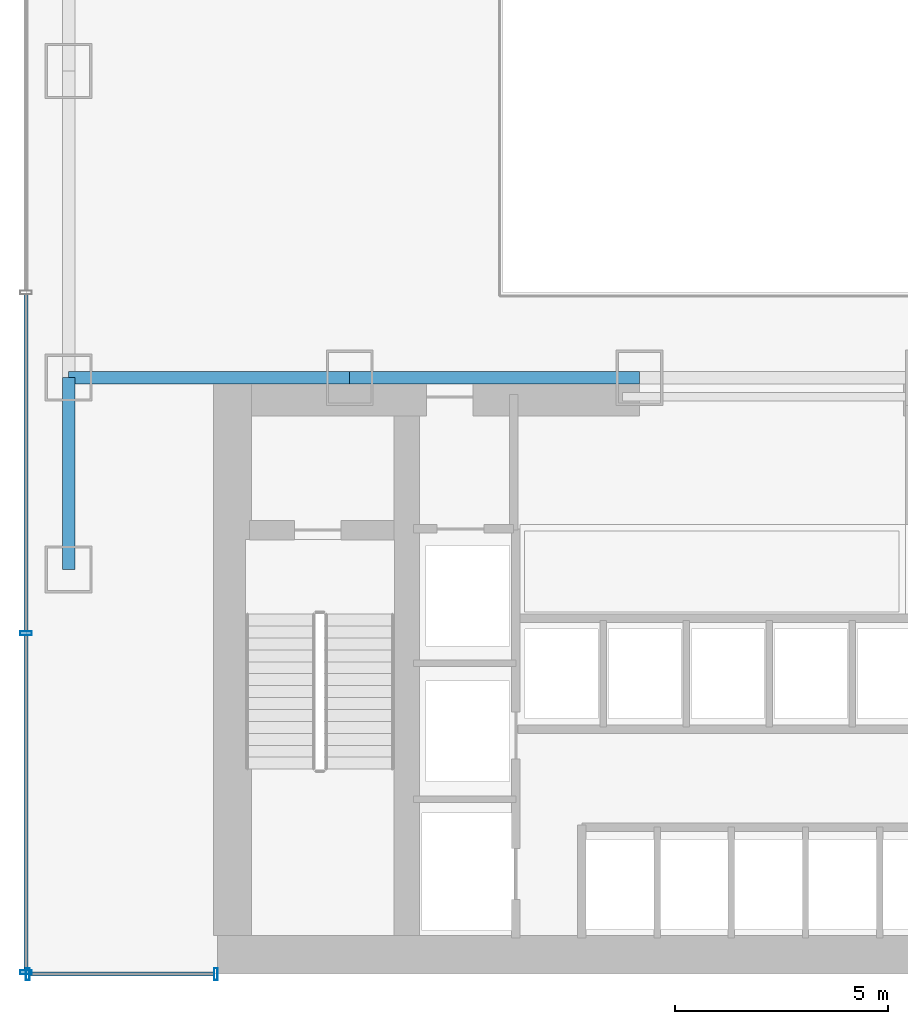
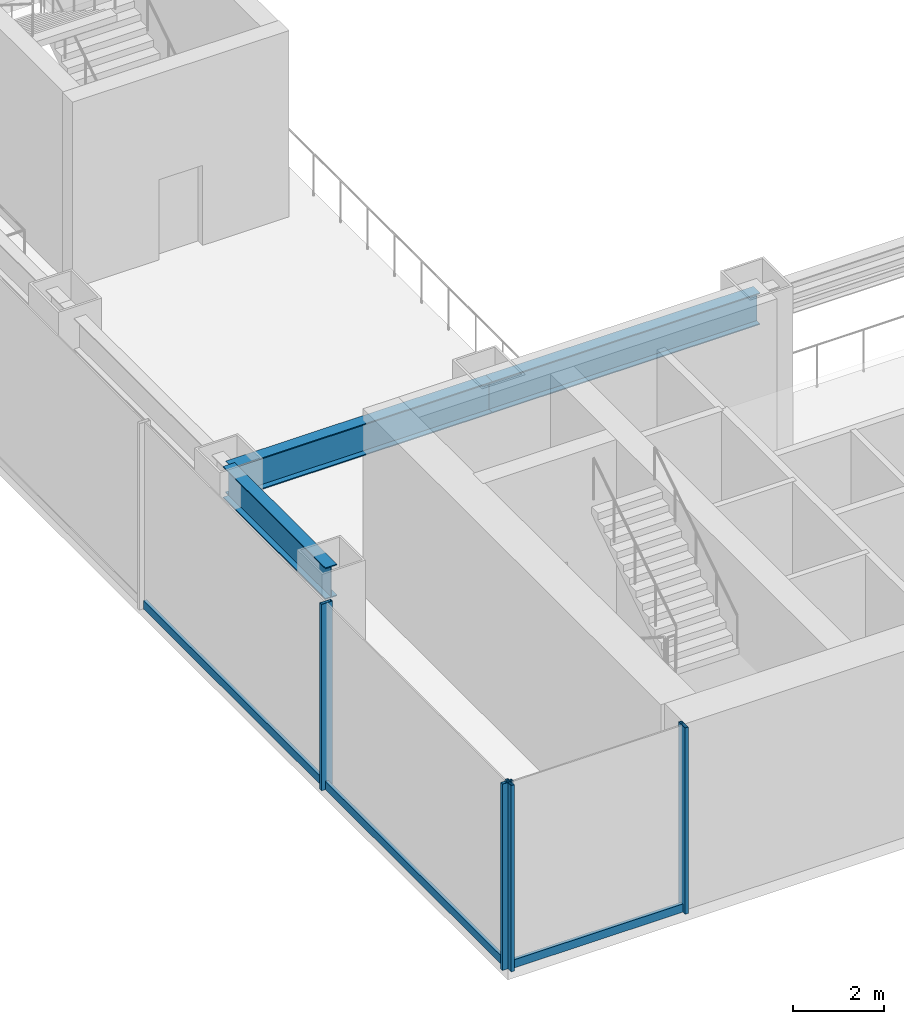
# One storey, part 6 of 39: 7 members, 3 beams, 2 elements without a shape of their own.
"""IFC4 building model written with IfcOpenShell, lengths in metres."""

from ifc_helpers import new_model, si_unit, derived_unit, direction, frame, origin, origin_2d, place, context, subcontext, project, spatial, hollow_rectangle, i_section, extrude, source, transform, mapped, material, material_profile, profile_set, type_object, element, aggregate, save


model = new_model("IFC4")

# Units and contexts
model_context = context("Model", 3, precision=1e-05, world=origin(), true_north=direction((0.0, 1.0)))
body_context = subcontext(model_context, "Body", "Model", "MODEL_VIEW")
ifc_project = project(units=[si_unit("LENGTHUNIT", "METRE"), si_unit("AREAUNIT", "SQUARE_METRE"), si_unit("VOLUMEUNIT", "CUBIC_METRE"), si_unit("PLANEANGLEUNIT", "RADIAN"), si_unit("MASSUNIT", "GRAM", prefix="KILO"), derived_unit("THERMALTRANSMITTANCEUNIT", [(si_unit("POWERUNIT", "WATT"), 1), (si_unit("LENGTHUNIT", "METRE"), -2), (si_unit("THERMODYNAMICTEMPERATUREUNIT", "KELVIN"), -1)])], contexts=[model_context])

# Site, building, storey
site_placement = place(None, origin())
site = spatial("IfcSite", under=ifc_project, at=site_placement, CompositionType="ELEMENT")
building_placement = place(site_placement, origin())
building = spatial("IfcBuilding", under=site, at=building_placement, Name="Skarnbrae Concourse Arena and Tower", CompositionType="ELEMENT")
storey_placement = place(building_placement, frame((0.0, 0.0, 11.0)))
storey = spatial("IfcBuildingStorey", under=building, at=storey_placement, Name="L02", CompositionType="ELEMENT", Elevation=11.0)

# Beams
ifc_material_1 = material(Name="Steel CSA G40.21 350W", Category="steel")
ifc_material_profile_1 = material_profile(ifc_material_1, i_section(OverallWidth=0.2939453125, OverallDepth=0.85107421875, WebThickness=0.01611328125, FlangeThickness=0.02685546875, at=origin_2d()), Name="W840X226")
ifc_profile_set_1 = profile_set([ifc_material_profile_1], Name="Steel CSA G40.21 350W")
beam_type = type_object("IfcBeamType", Name="BM-GIRD-W840X226", PredefinedType="BEAM", material=ifc_profile_set_1)
shared_shape_1 = source(origin(), body_context, "Body", "SweptSolid", [
    extrude(i_section(OverallWidth=0.2939453125, OverallDepth=0.85107421875, WebThickness=0.01611328125, FlangeThickness=0.02685546875, at=origin_2d()), origin(), (0.0, 0.0, 1.0), 6.60009765625),
])
beam_1_placement = place(storey_placement, frame((1.0, 14.0, 4.2744140625), z_axis=(1.0, 0.0, 0.0), x_axis=(0.0, 1.0, 0.0)))
element("IfcBeam", 1, at=beam_1_placement, inside=storey, type_object=beam_type, Name="L02 Podium south spine girder 1", PredefinedType="BEAM", context=body_context, shape_type="MappedRepresentation", body=[
    mapped(shared_shape_1, transform((0.0, 0.0, 0.0))),
])
shared_shape_2 = source(origin(), body_context, "Body", "SweptSolid", [
    extrude(i_section(OverallWidth=0.2939453125, OverallDepth=0.85107421875, WebThickness=0.01611328125, FlangeThickness=0.02685546875, at=origin_2d()), origin(), (0.0, 0.0, 1.0), 6.7998046875),
])
beam_2_placement = place(storey_placement, frame((7.60009765625, 14.0, 4.2744140625), z_axis=(1.0, 0.0, 0.0), x_axis=(0.0, 1.0, 0.0)))
element("IfcBeam", 2, at=beam_2_placement, inside=storey, type_object=beam_type, Name="L02 Podium south spine girder 2", PredefinedType="BEAM", context=body_context, shape_type="MappedRepresentation", body=[
    mapped(shared_shape_2, transform((0.0, 0.0, 0.0))),
])
shared_shape_3 = source(origin(), body_context, "Body", "SweptSolid", [
    extrude(i_section(OverallWidth=0.2939453125, OverallDepth=0.85107421875, WebThickness=0.01611328125, FlangeThickness=0.02685546875, at=origin_2d()), origin(), (0.0, 0.0, 1.0), 4.5),
])
beam_3_placement = place(storey_placement, frame((1.0, 9.5, 4.2744140625), z_axis=(0.0, 1.0, 0.0), x_axis=(-1.0, 0.0, 0.0)))
element("IfcBeam", 3, at=beam_3_placement, inside=storey, type_object=beam_type, Name="L02 Podium west girder 1", PredefinedType="BEAM", context=body_context, shape_type="MappedRepresentation", body=[
    mapped(shared_shape_3, transform((0.0, 0.0, 0.0))),
])

# Curtain wall, members
ifc_material_2 = material(Name="Bronze anodised aluminium 6063-T6", Category="aluminium")
curtain_wall_type = type_object("IfcCurtainWallType", Name="CW-SYS-01-PODIUM", PredefinedType="USERDEFINED", material=ifc_material_2)
curtain_wall_1_placement = place(storey_placement, origin())
curtain_wall_1 = element("IfcCurtainWall", 4, at=curtain_wall_1_placement, inside=storey, type_object=curtain_wall_type, Name="L02 Unitised curtain wall CW-L02-SW", ObjectType="UNITISED CURTAIN WALL", PredefinedType="USERDEFINED")
ifc_material_profile_2 = material_profile(ifc_material_2, hollow_rectangle(XDim=0.0849609375, YDim=0.280029296875, WallThickness=0.006103515625, at=origin_2d()), Name="ALU-MULL-85X280")
ifc_profile_set_2 = profile_set([ifc_material_profile_2], Name="Bronze anodised aluminium 6063-T6")
member_type_1 = type_object("IfcMemberType", Name="CWM-CW-01", PredefinedType="MULLION", material=ifc_profile_set_2)
shared_shape_4 = source(origin(), body_context, "Body", "SweptSolid", [
    extrude(hollow_rectangle(XDim=0.0849609375, YDim=0.280029296875, WallThickness=0.006103515625, at=origin_2d()), origin(), (0.0, 0.0, 1.0), 5.0),
])
member_1_placement = place(storey_placement, frame((0.04248046875, 0.0, 0.0), z_axis=(0.0, 0.0, 1.0), x_axis=(1.0, 0.0, 0.0)))
member_1 = element("IfcMember", 5, at=member_1_placement, type_object=member_type_1, Name="CW-L02-SW Mullion 1", PredefinedType="MULLION", context=body_context, shape_type="MappedRepresentation", body=[
    mapped(shared_shape_4, transform((0.0, 0.0, 0.0))),
])
member_2_placement = place(storey_placement, frame((4.45751953125, 0.0, 0.0), z_axis=(0.0, 0.0, 1.0), x_axis=(1.0, 0.0, 0.0)))
member_2 = element("IfcMember", 6, at=member_2_placement, type_object=member_type_1, Name="CW-L02-SW Mullion 2", PredefinedType="MULLION", context=body_context, shape_type="MappedRepresentation", body=[
    mapped(shared_shape_4, transform((0.0, 0.0, 0.0))),
])

curtain_wall_2_placement = place(storey_placement, origin())
curtain_wall_2 = element("IfcCurtainWall", 7, at=curtain_wall_2_placement, inside=storey, type_object=curtain_wall_type, Name="L02 Unitised curtain wall CW-L02-W", ObjectType="UNITISED CURTAIN WALL", PredefinedType="USERDEFINED")
member_3_placement = place(storey_placement, frame((0.0, 8.0, 0.0), z_axis=(0.0, 0.0, 1.0), x_axis=(0.0, -1.0, 0.0)))
member_3 = element("IfcMember", 8, at=member_3_placement, type_object=member_type_1, Name="CW-L02-W Mullion 7", PredefinedType="MULLION", context=body_context, shape_type="MappedRepresentation", body=[
    mapped(shared_shape_4, transform((0.0, 0.0, 0.0))),
])
member_4_placement = place(storey_placement, frame((0.0, 0.04248046875, 0.0), z_axis=(0.0, 0.0, 1.0), x_axis=(0.0, -1.0, 0.0)))
member_4 = element("IfcMember", 9, at=member_4_placement, type_object=member_type_1, Name="CW-L02-W Mullion 8", PredefinedType="MULLION", context=body_context, shape_type="MappedRepresentation", body=[
    mapped(shared_shape_4, transform((0.0, 0.0, 0.0))),
])
ifc_material_profile_3 = material_profile(ifc_material_2, hollow_rectangle(XDim=0.0849609375, YDim=0.219970703125, WallThickness=0.006103515625, at=origin_2d()), Name="ALU-TRAN-85X220")
ifc_profile_set_3 = profile_set([ifc_material_profile_3], Name="Bronze anodised aluminium 6063-T6")
member_type_2 = type_object("IfcMemberType", Name="CWT-CW-01", PredefinedType="USERDEFINED", material=ifc_profile_set_3)
shared_shape_5 = source(origin(), body_context, "Body", "SweptSolid", [
    extrude(hollow_rectangle(XDim=0.0849609375, YDim=0.219970703125, WallThickness=0.006103515625, at=origin_2d()), origin(), (0.0, 0.0, 1.0), 7.87255859375),
])
member_5_placement = place(storey_placement, frame((0.0, 7.95751953125, 0.110107421875), z_axis=(0.0, -1.0, 0.0), x_axis=(1.0, 0.0, 0.0)))
member_5 = element("IfcMember", 10, at=member_5_placement, type_object=member_type_2, Name="CW-L02-W Transom 7", ObjectType="TRANSOM", PredefinedType="USERDEFINED", context=body_context, shape_type="MappedRepresentation", body=[
    mapped(shared_shape_5, transform((0.0, 0.0, 0.0))),
])
shared_shape_6 = source(origin(), body_context, "Body", "SweptSolid", [
    extrude(hollow_rectangle(XDim=0.0849609375, YDim=0.219970703125, WallThickness=0.006103515625, at=origin_2d()), origin(), (0.0, 0.0, 1.0), 7.9150390625),
])
member_6_placement = place(storey_placement, frame((0.0, 15.95751953125, 0.110107421875), z_axis=(0.0, -1.0, 0.0), x_axis=(1.0, 0.0, 0.0)))
member_6 = element("IfcMember", 11, at=member_6_placement, type_object=member_type_2, Name="CW-L02-W Transom 6", ObjectType="TRANSOM", PredefinedType="USERDEFINED", context=body_context, shape_type="MappedRepresentation", body=[
    mapped(shared_shape_6, transform((0.0, 0.0, 0.0))),
])
aggregate(curtain_wall_2, [member_3, member_4, member_6, member_5])

# Member
shared_shape_7 = source(origin(), body_context, "Body", "SweptSolid", [
    extrude(hollow_rectangle(XDim=0.0849609375, YDim=0.219970703125, WallThickness=0.006103515625, at=origin_2d()), origin(), (0.0, 0.0, 1.0), 4.330078125),
])
member_7_placement = place(storey_placement, frame((0.0849609375, 0.0, 0.110107421875), z_axis=(1.0, 0.0, 0.0), x_axis=(0.0, 1.0, 0.0)))
member_7 = element("IfcMember", 12, at=member_7_placement, type_object=member_type_2, Name="CW-L02-SW Transom 1", ObjectType="TRANSOM", PredefinedType="USERDEFINED", context=body_context, shape_type="MappedRepresentation", body=[
    mapped(shared_shape_7, transform((0.0, 0.0, 0.0))),
])

aggregate(curtain_wall_1, [member_1, member_2, member_7])

save(model, "model.ifc")
